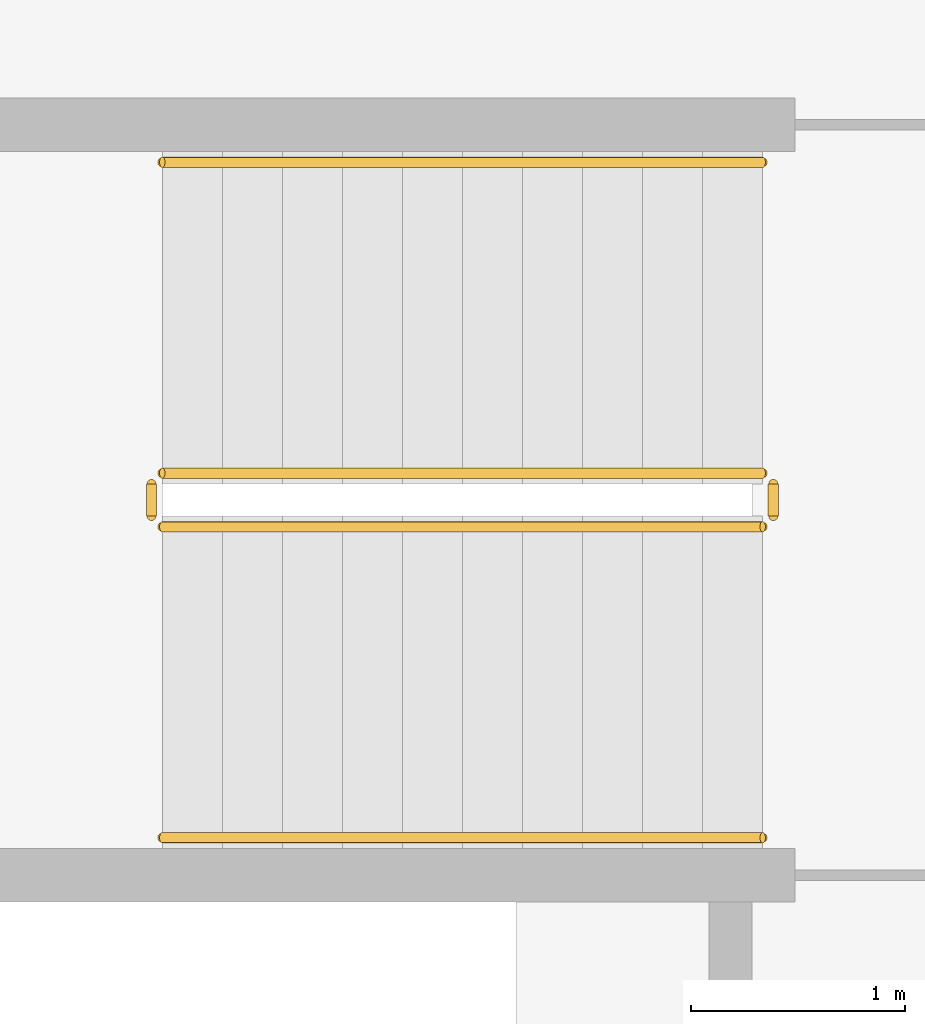
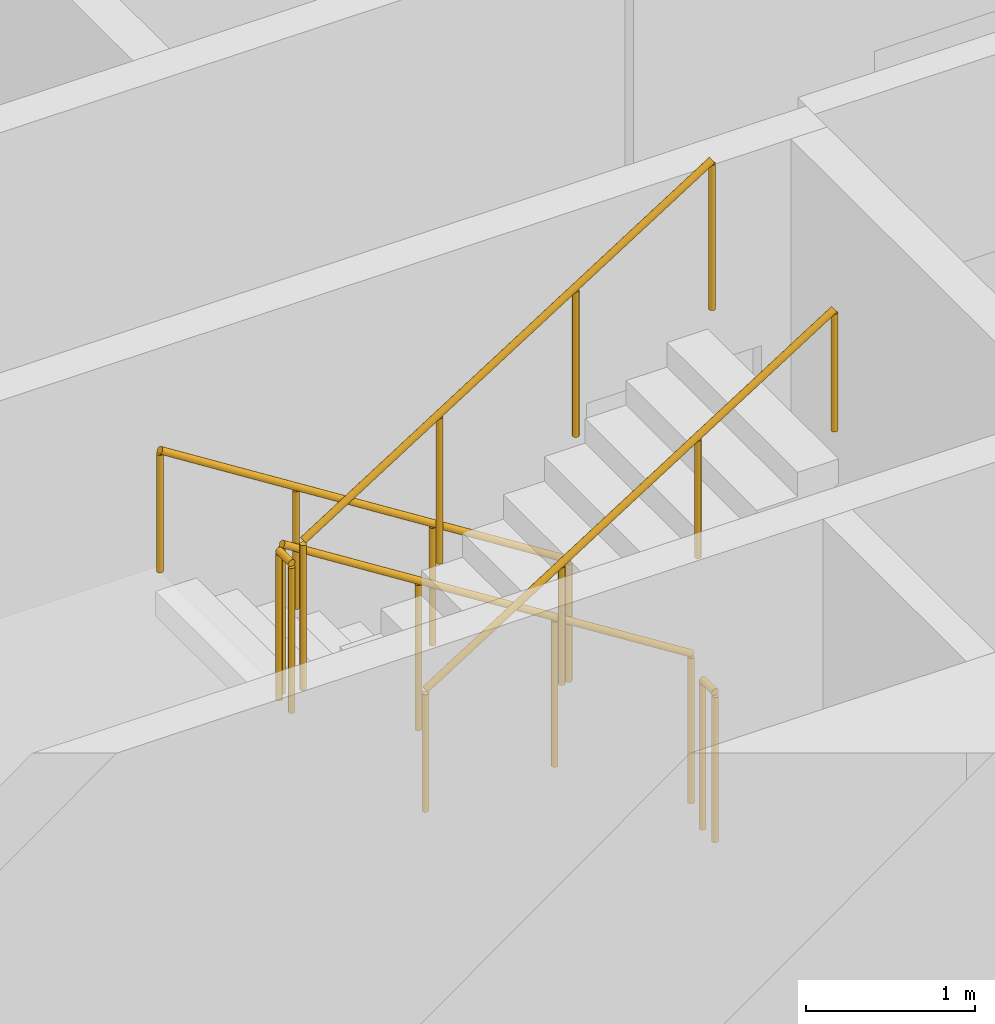
# One storey, part 11 of 14: 6 railings.
"""IFC4 building model written with IfcOpenShell, lengths in metres."""

from ifc_helpers import new_model, si_unit, direction, frame, origin, origin_2d, place, context, subcontext, project, spatial, circle, extrude, material, type_object, element, save


model = new_model("IFC4")

# Units and contexts
model_context = context("Model", 3, precision=1e-05, world=origin(), true_north=direction((0.0, 1.0)))
body_context = subcontext(model_context, "Body", "Model", "MODEL_VIEW")
ifc_project = project(units=[si_unit("LENGTHUNIT", "METRE"), si_unit("AREAUNIT", "SQUARE_METRE"), si_unit("VOLUMEUNIT", "CUBIC_METRE"), si_unit("PLANEANGLEUNIT", "RADIAN"), si_unit("MASSUNIT", "GRAM", prefix="KILO")], contexts=[model_context])

# Site, building, storey
site_placement = place(None, origin())
site = spatial("IfcSite", under=ifc_project, at=site_placement, CompositionType="ELEMENT")
building_placement = place(site_placement, origin())
building = spatial("IfcBuilding", under=site, at=building_placement, Name="Dhurran Vertical Campus", CompositionType="ELEMENT")
storey_placement = place(building_placement, frame((0.0, 0.0, 93.0)))
storey = spatial("IfcBuildingStorey", under=building, at=storey_placement, Name="L22", CompositionType="ELEMENT", Elevation=93.0)

# Railings
ifc_material_1 = material(Name="Stainless steel balustrade", Category="steel")
railing_type_1 = type_object("IfcRailingType", Name="co-RL-GUARD-1100", PredefinedType="GUARDRAIL", material=ifc_material_1)
railing_1_placement = place(storey_placement, frame((11.10009765625, -8.89990234375, 0.17724609375)))
element("IfcRailing", 1, at=railing_1_placement, inside=storey, type_object=railing_type_1, Name="L22 ST4 stair guard 1", PredefinedType="GUARDRAIL", context=body_context, shape_type="SweptSolid", body=[
    extrude(circle(Radius=0.02392578125, at=origin_2d()), frame((0.0, 0.0, 1.076171875), z_axis=(-0.844908973607, 0.0, 0.534910110503), x_axis=(0.0, -1.0, 0.0)), (0.0, 0.0, 1.0), 3.31396484375),
    extrude(circle(Radius=0.02099609375, at=origin_2d()), origin(), (0.0, 0.0, 1.0), 1.052001953125),
    extrude(circle(Radius=0.02099609375, at=origin_2d()), frame((-0.933349609375, 0.0, 0.5908203125)), (0.0, 0.0, 1.0), 1.052001953125),
    extrude(circle(Radius=0.02099609375, at=origin_2d()), frame((-1.86669921875, 0.0, 1.181884765625)), (0.0, 0.0, 1.0), 1.052001953125),
    extrude(circle(Radius=0.02099609375, at=origin_2d()), frame((-2.800048828125, 0.0, 1.772705078125)), (0.0, 0.0, 1.0), 1.052001953125),
])
railing_2_placement = place(storey_placement, frame((8.25, -8.949951171875, 1.949951171875)))
element("IfcRailing", 2, at=railing_2_placement, inside=storey, type_object=railing_type_1, Name="L22 ST4 stair guard 2", PredefinedType="GUARDRAIL", context=body_context, shape_type="SweptSolid", body=[
    extrude(circle(Radius=0.02392578125, at=origin_2d()), frame((0.0, 0.0, 1.076171875), z_axis=(0.0, -1.0, 0.0), x_axis=(1.0, 0.0, 0.0)), (0.0, 0.0, 1.0), 0.150146484375),
    extrude(circle(Radius=0.02099609375, at=origin_2d()), origin(), (0.0, 0.0, 1.0), 1.052001953125),
    extrude(circle(Radius=0.02099609375, at=origin_2d()), frame((0.0, -0.150146484375, 0.0)), (0.0, 0.0, 1.0), 1.052001953125),
])
railing_3_placement = place(storey_placement, frame((8.300048828125, -9.14990234375, 2.127197265625)))
element("IfcRailing", 3, at=railing_3_placement, inside=storey, type_object=railing_type_1, Name="L22 ST4 stair guard 3", PredefinedType="GUARDRAIL", context=body_context, shape_type="SweptSolid", body=[
    extrude(circle(Radius=0.02392578125, at=origin_2d()), frame((0.0, 0.0, 1.076171875), z_axis=(0.844908973607, 0.0, 0.534910110503), x_axis=(0.0, 1.0, 0.0)), (0.0, 0.0, 1.0), 3.31396484375),
    extrude(circle(Radius=0.02099609375, at=origin_2d()), origin(), (0.0, 0.0, 1.0), 1.052001953125),
    extrude(circle(Radius=0.02099609375, at=origin_2d()), frame((0.933349609375, 0.0, 0.5908203125)), (0.0, 0.0, 1.0), 1.052001953125),
    extrude(circle(Radius=0.02099609375, at=origin_2d()), frame((1.86669921875, 0.0, 1.181884765625)), (0.0, 0.0, 1.0), 1.052001953125),
    extrude(circle(Radius=0.02099609375, at=origin_2d()), frame((2.800048828125, 0.0, 1.772705078125)), (0.0, 0.0, 1.0), 1.052001953125),
])
railing_4_placement = place(storey_placement, frame((11.14990234375, -8.949951171875, 0.0)))
element("IfcRailing", 4, at=railing_4_placement, inside=storey, type_object=railing_type_1, Name="L22 ST4 stair guard 4", PredefinedType="GUARDRAIL", context=body_context, shape_type="SweptSolid", body=[
    extrude(circle(Radius=0.02392578125, at=origin_2d()), frame((0.0, 0.0, 1.076171875), z_axis=(0.0, -1.0, 0.0), x_axis=(1.0, 0.0, 0.0)), (0.0, 0.0, 1.0), 0.150146484375),
    extrude(circle(Radius=0.02099609375, at=origin_2d()), origin(), (0.0, 0.0, 1.0), 1.052001953125),
    extrude(circle(Radius=0.02099609375, at=origin_2d()), frame((0.0, -0.150146484375, 0.0)), (0.0, 0.0, 1.0), 1.052001953125),
])
ifc_material_2 = material(Name="Stainless steel handrail", Category="steel")
railing_type_2 = type_object("IfcRailingType", Name="co-RL-HANDRAIL-900", PredefinedType="HANDRAIL", material=ifc_material_2)
railing_5_placement = place(storey_placement, frame((11.10009765625, -7.449951171875, 0.17724609375)))
element("IfcRailing", 5, at=railing_5_placement, inside=storey, type_object=railing_type_2, Name="L22 ST4 stair handrail 1", PredefinedType="HANDRAIL", context=body_context, shape_type="SweptSolid", body=[
    extrude(circle(Radius=0.02392578125, at=origin_2d()), frame((0.0, 0.0, 0.8759765625), z_axis=(-0.844908973607, 0.0, 0.534910110503), x_axis=(0.0, -1.0, 0.0)), (0.0, 0.0, 1.0), 3.31396484375),
    extrude(circle(Radius=0.02099609375, at=origin_2d()), origin(), (0.0, 0.0, 1.0), 0.851806640625),
    extrude(circle(Radius=0.02099609375, at=origin_2d()), frame((-0.933349609375, 0.0, 0.5908203125)), (0.0, 0.0, 1.0), 0.851806640625),
    extrude(circle(Radius=0.02099609375, at=origin_2d()), frame((-1.86669921875, 0.0, 1.181884765625)), (0.0, 0.0, 1.0), 0.851806640625),
    extrude(circle(Radius=0.02099609375, at=origin_2d()), frame((-2.800048828125, 0.0, 1.772705078125)), (0.0, 0.0, 1.0), 0.851806640625),
])
railing_6_placement = place(storey_placement, frame((8.300048828125, -10.60009765625, 2.127197265625)))
element("IfcRailing", 6, at=railing_6_placement, inside=storey, type_object=railing_type_2, Name="L22 ST4 stair handrail 2", PredefinedType="HANDRAIL", context=body_context, shape_type="SweptSolid", body=[
    extrude(circle(Radius=0.02392578125, at=origin_2d()), frame((0.0, 0.0, 0.8759765625), z_axis=(0.844908973607, 0.0, 0.534910110503), x_axis=(0.0, 1.0, 0.0)), (0.0, 0.0, 1.0), 3.31396484375),
    extrude(circle(Radius=0.02099609375, at=origin_2d()), origin(), (0.0, 0.0, 1.0), 0.851806640625),
    extrude(circle(Radius=0.02099609375, at=origin_2d()), frame((0.933349609375, 0.0, 0.5908203125)), (0.0, 0.0, 1.0), 0.851806640625),
    extrude(circle(Radius=0.02099609375, at=origin_2d()), frame((1.86669921875, 0.0, 1.181884765625)), (0.0, 0.0, 1.0), 0.851806640625),
    extrude(circle(Radius=0.02099609375, at=origin_2d()), frame((2.800048828125, 0.0, 1.772705078125)), (0.0, 0.0, 1.0), 0.851806640625),
])

save(model, "model.ifc")
